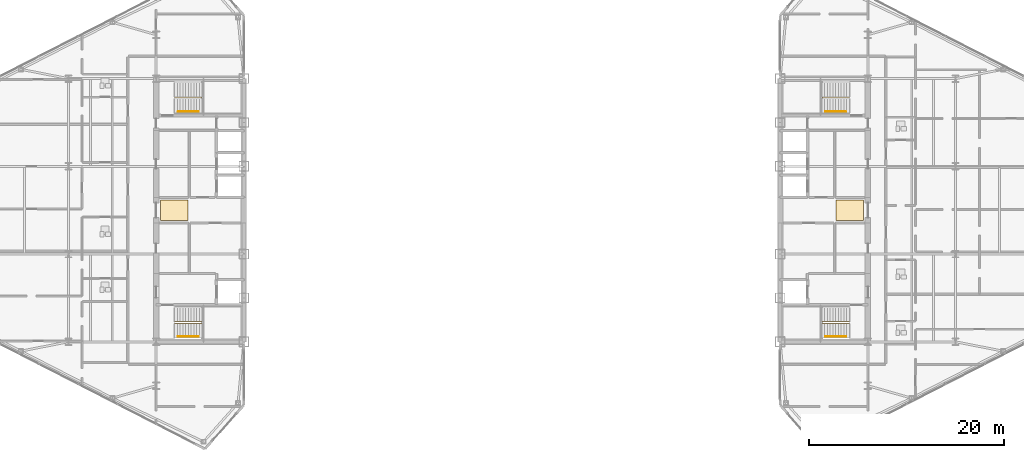
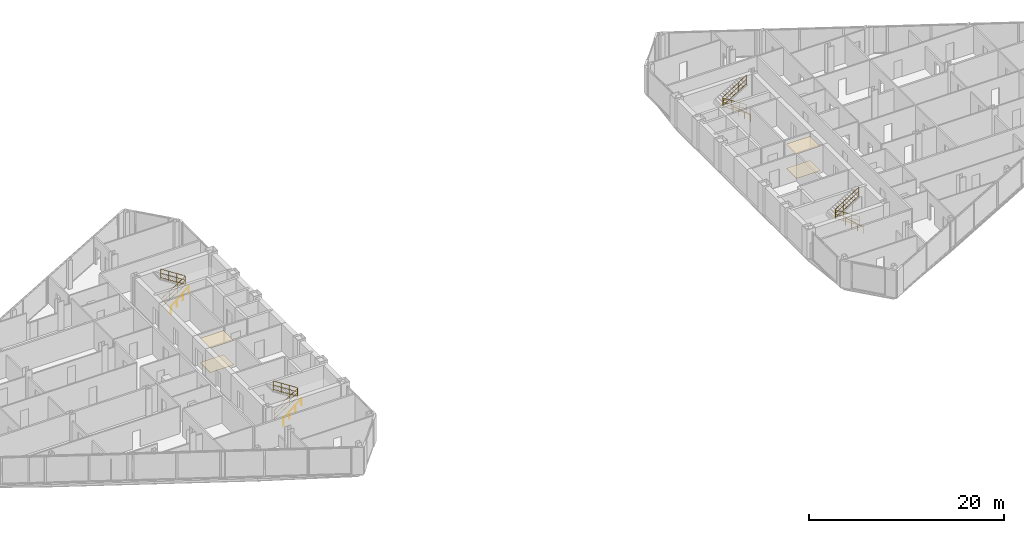
# One storey, part 22 of 23: 8 railings, 4 coverings.
"""IFC4 building model written with IfcOpenShell, lengths in metres."""

from ifc_helpers import new_model, si_unit, direction, frame, origin, origin_2d, place, context, subcontext, project, spatial, polyline, circle, outline, extrude, material, layer, layer_set, type_object, element, save


model = new_model("IFC4")

# Units and contexts
model_context = context("Model", 3, precision=1e-05, world=origin(), true_north=direction((0.0, 1.0)))
body_context = subcontext(model_context, "Body", "Model", "MODEL_VIEW")
ifc_project = project(units=[si_unit("LENGTHUNIT", "METRE"), si_unit("AREAUNIT", "SQUARE_METRE"), si_unit("VOLUMEUNIT", "CUBIC_METRE"), si_unit("PLANEANGLEUNIT", "RADIAN"), si_unit("MASSUNIT", "GRAM", prefix="KILO")], contexts=[model_context])

# Site, building, storey
site_placement = place(None, origin())
site = spatial("IfcSite", under=ifc_project, at=site_placement, CompositionType="ELEMENT")
building_placement = place(site_placement, origin())
building = spatial("IfcBuilding", under=site, at=building_placement, Name="Seokmaru Belvedere", CompositionType="ELEMENT")
storey_placement = place(building_placement, frame((0.0, 0.0, 154.800048828125)))
storey = spatial("IfcBuildingStorey", under=building, at=storey_placement, Name="L41", CompositionType="ELEMENT", Elevation=154.800048828125)

# Coverings
ifc_material_1 = material(Name="Engineered White Oak Timber", Category="wood")
ifc_layer_1 = layer(ifc_material_1, 0.02197265625)
ifc_layer_set_1 = layer_set([ifc_layer_1], Name="Engineered White Oak Timber")
covering_type_1 = type_object("IfcCoveringType", Name="Engineered Oak Residence Floor Finish 22", PredefinedType="FLOORING", material=ifc_layer_set_1)
covering_1_placement = place(storey_placement, origin())
element("IfcCovering", 1, at=covering_1_placement, inside=storey, type_object=covering_type_1, Name="L41 W Foyer Floor Finish", PredefinedType="FLOORING", context=body_context, shape_type="SweptSolid", body=[
    extrude(outline(polyline([(-36.050048828125, -1.050048828125), (-33.25, -1.050048828125), (-33.25, 1.050048828125), (-36.050048828125, 1.050048828125), (-36.050048828125, -1.050048828125)])), origin(), (0.0, 0.0, 1.0), 0.02197265625),
])
covering_2_placement = place(storey_placement, origin())
element("IfcCovering", 2, at=covering_2_placement, inside=storey, type_object=covering_type_1, Name="L41 E Foyer Floor Finish", PredefinedType="FLOORING", context=body_context, shape_type="SweptSolid", body=[
    extrude(outline(polyline([(33.25, -1.050048828125), (36.050048828125, -1.050048828125), (36.050048828125, 1.050048828125), (33.25, 1.050048828125), (33.25, -1.050048828125)])), origin(), (0.0, 0.0, 1.0), 0.02197265625),
])
ifc_material_2 = material(Name="Fire-Rated Gypsum Shaftwall")
ifc_layer_2 = layer(ifc_material_2, 0.02490234375)
ifc_layer_set_2 = layer_set([ifc_layer_2], Name="Fire-Rated Gypsum Shaftwall")
covering_type_2 = type_object("IfcCoveringType", Name="Perforated Acoustic Gypsum Suspended Ceiling 25", PredefinedType="CEILING", material=ifc_layer_set_2)
covering_3_placement = place(storey_placement, frame((0.0, 0.0, 3.030029296875)))
element("IfcCovering", 3, at=covering_3_placement, inside=storey, type_object=covering_type_2, Name="L41 W Lift Foyer Acoustic Ceiling", PredefinedType="CEILING", context=body_context, shape_type="SweptSolid", body=[
    extrude(outline(polyline([(-36.050048828125, -1.050048828125), (-33.25, -1.050048828125), (-33.25, 1.050048828125), (-36.050048828125, 1.050048828125), (-36.050048828125, -1.050048828125)])), origin(), (0.0, 0.0, 1.0), 0.02490234375),
])
covering_4_placement = place(storey_placement, frame((0.0, 0.0, 3.030029296875)))
element("IfcCovering", 4, at=covering_4_placement, inside=storey, type_object=covering_type_2, Name="L41 E Lift Foyer Acoustic Ceiling", PredefinedType="CEILING", context=body_context, shape_type="SweptSolid", body=[
    extrude(outline(polyline([(33.25, -1.050048828125), (36.050048828125, -1.050048828125), (36.050048828125, 1.050048828125), (33.25, 1.050048828125), (33.25, -1.050048828125)])), origin(), (0.0, 0.0, 1.0), 0.02490234375),
])

# Railings
ifc_material_3 = material(Name="Stainless Steel 316", Category="steel")
railing_type_1 = type_object("IfcRailingType", Name="Stainless Steel Wall and Flight Handrail 900", PredefinedType="HANDRAIL", material=ifc_material_3)
for number, where, name in (
    (5, (-34.25, -12.949951171875, 0.0), "L41 Stair ST-W1 Wall Handrail"),
    (6, (-34.25, 10.110107421875, 0.0), "L41 Stair ST-W2 Wall Handrail"),
):
    element("IfcRailing", number, at=place(storey_placement, frame(where)), inside=storey, type_object=railing_type_1, Name=name, PredefinedType="HANDRAIL", context=body_context, shape_type="SweptSolid", body=[
        extrude(circle(Radius=0.02392578125, at=origin_2d()), frame((0.0, 0.0, 0.8759765625), z_axis=(0.759262832861, 0.0, 0.650784104474), x_axis=(0.0, 1.0, 0.0)), (0.0, 0.0, 1.0), 2.765869140625),
        extrude(circle(Radius=0.02099609375, at=origin_2d()), origin(), (0.0, 0.0, 1.0), 0.851806640625),
        extrude(circle(Radius=0.02099609375, at=origin_2d()), frame((0.699951171875, 0.0, 0.60009765625)), (0.0, 0.0, 1.0), 0.851806640625),
        extrude(circle(Radius=0.02099609375, at=origin_2d()), frame((1.400146484375, 0.0, 1.199951171875)), (0.0, 0.0, 1.0), 0.851806640625),
        extrude(circle(Radius=0.02099609375, at=origin_2d()), frame((2.10009765625, 0.0, 1.800048828125)), (0.0, 0.0, 1.0), 0.851806640625),
    ])
for number, where, name in (
    (7, (34.25, -12.949951171875, 0.0), "L41 Stair ST-E1 Wall Handrail"),
    (8, (34.25, 10.110107421875, 0.0), "L41 Stair ST-E2 Wall Handrail"),
):
    element("IfcRailing", number, at=place(storey_placement, frame(where)), inside=storey, type_object=railing_type_1, Name=name, PredefinedType="HANDRAIL", context=body_context, shape_type="SweptSolid", body=[
        extrude(circle(Radius=0.02392578125, at=origin_2d()), frame((0.0, 0.0, 0.8759765625), z_axis=(-0.759262832861, 0.0, 0.650784104474), x_axis=(0.0, -1.0, 0.0)), (0.0, 0.0, 1.0), 2.765869140625),
        extrude(circle(Radius=0.02099609375, at=origin_2d()), origin(), (0.0, 0.0, 1.0), 0.851806640625),
        extrude(circle(Radius=0.02099609375, at=origin_2d()), frame((-0.699951171875, 0.0, 0.60009765625)), (0.0, 0.0, 1.0), 0.851806640625),
        extrude(circle(Radius=0.02099609375, at=origin_2d()), frame((-1.400146484375, 0.0, 1.199951171875)), (0.0, 0.0, 1.0), 0.851806640625),
        extrude(circle(Radius=0.02099609375, at=origin_2d()), frame((-2.10009765625, 0.0, 1.800048828125)), (0.0, 0.0, 1.0), 0.851806640625),
    ])
railing_type_2 = type_object("IfcRailingType", Name="Stair Well and Atrium Steel Guardrail 1200", PredefinedType="GUARDRAIL", material=ifc_material_3)
railing_1_placement = place(storey_placement, frame((-34.60009765625, -11.60009765625, 0.0)))
element("IfcRailing", 9, at=railing_1_placement, inside=storey, type_object=railing_type_2, Name="L41 Stair ST-W1 Inner Well Guardrail", PredefinedType="GUARDRAIL", context=body_context, shape_type="SweptSolid", body=[
    extrude(circle(Radius=0.02392578125, at=origin_2d()), frame((0.0, 0.0, 1.17578125), z_axis=(0.841176092368, 0.0, 0.540761298198), x_axis=(0.0, 1.0, 0.0)), (0.0, 0.0, 1.0), 3.32861328125),
    extrude(circle(Radius=0.02392578125, at=origin_2d()), frame((0.0, 0.0, 0.1201171875), z_axis=(0.841176092368, 0.0, 0.540761298198), x_axis=(0.0, 1.0, 0.0)), (0.0, 0.0, 1.0), 3.32861328125),
    extrude(circle(Radius=0.02392578125, at=origin_2d()), frame((0.0, 0.0, 0.659912109375), z_axis=(0.841176092368, 0.0, 0.540761298198), x_axis=(0.0, 1.0, 0.0)), (0.0, 0.0, 1.0), 3.32861328125),
    extrude(circle(Radius=0.02392578125, at=origin_2d()), frame((2.800048828125, 0.0, 2.97607421875), z_axis=(0.0, 1.0, 0.0), x_axis=(-1.0, 0.0, 0.0)), (0.0, 0.0, 1.0), 0.14013671875),
    extrude(circle(Radius=0.02392578125, at=origin_2d()), frame((2.800048828125, 0.0, 1.920166015625), z_axis=(0.0, 1.0, 0.0), x_axis=(-1.0, 0.0, 0.0)), (0.0, 0.0, 1.0), 0.14013671875),
    extrude(circle(Radius=0.02392578125, at=origin_2d()), frame((2.800048828125, 0.0, 2.4599609375), z_axis=(0.0, 1.0, 0.0), x_axis=(-1.0, 0.0, 0.0)), (0.0, 0.0, 1.0), 0.14013671875),
    extrude(circle(Radius=0.02392578125, at=origin_2d()), frame((2.800048828125, 0.14013671875, 2.97607421875), z_axis=(-0.841209454229, 0.0, 0.540709398952), x_axis=(0.0, -1.0, 0.0)), (0.0, 0.0, 1.0), 3.32861328125),
    extrude(circle(Radius=0.02392578125, at=origin_2d()), frame((2.800048828125, 0.14013671875, 1.920166015625), z_axis=(-0.841209454229, 0.0, 0.540709398952), x_axis=(0.0, -1.0, 0.0)), (0.0, 0.0, 1.0), 3.32861328125),
    extrude(circle(Radius=0.02392578125, at=origin_2d()), frame((2.800048828125, 0.14013671875, 2.4599609375), z_axis=(-0.841209454229, 0.0, 0.540709398952), x_axis=(0.0, -1.0, 0.0)), (0.0, 0.0, 1.0), 3.32861328125),
    extrude(circle(Radius=0.02099609375, at=origin_2d()), origin(), (0.0, 0.0, 1.0), 1.15185546875),
    extrude(circle(Radius=0.02099609375, at=origin_2d()), frame((0.933349609375, 0.0, 0.60009765625)), (0.0, 0.0, 1.0), 1.15185546875),
    extrude(circle(Radius=0.02099609375, at=origin_2d()), frame((1.86669921875, 0.0, 1.199951171875)), (0.0, 0.0, 1.0), 1.15185546875),
    extrude(circle(Radius=0.02099609375, at=origin_2d()), frame((2.800048828125, 0.0, 1.800048828125)), (0.0, 0.0, 1.0), 1.15185546875),
    extrude(circle(Radius=0.02099609375, at=origin_2d()), frame((2.800048828125, 0.14013671875, 1.800048828125)), (0.0, 0.0, 1.0), 1.15185546875),
    extrude(circle(Radius=0.02099609375, at=origin_2d()), frame((1.86669921875, 0.14013671875, 2.39990234375)), (0.0, 0.0, 1.0), 1.15185546875),
    extrude(circle(Radius=0.02099609375, at=origin_2d()), frame((0.933349609375, 0.14013671875, 3.0)), (0.0, 0.0, 1.0), 1.15185546875),
    extrude(circle(Radius=0.02099609375, at=origin_2d()), frame((0.0, 0.14013671875, 3.599853515625)), (0.0, 0.0, 1.0), 1.15185546875),
])
railing_2_placement = place(storey_placement, frame((-34.60009765625, 11.4599609375, 0.0)))
element("IfcRailing", 10, at=railing_2_placement, inside=storey, type_object=railing_type_2, Name="L41 Stair ST-W2 Inner Well Guardrail", PredefinedType="GUARDRAIL", context=body_context, shape_type="SweptSolid", body=[
    extrude(circle(Radius=0.02392578125, at=origin_2d()), frame((0.0, 0.0, 1.17578125), z_axis=(0.841176092368, 0.0, 0.540761298198), x_axis=(0.0, 1.0, 0.0)), (0.0, 0.0, 1.0), 3.32861328125),
    extrude(circle(Radius=0.02392578125, at=origin_2d()), frame((0.0, 0.0, 0.1201171875), z_axis=(0.841176092368, 0.0, 0.540761298198), x_axis=(0.0, 1.0, 0.0)), (0.0, 0.0, 1.0), 3.32861328125),
    extrude(circle(Radius=0.02392578125, at=origin_2d()), frame((0.0, 0.0, 0.659912109375), z_axis=(0.841176092368, 0.0, 0.540761298198), x_axis=(0.0, 1.0, 0.0)), (0.0, 0.0, 1.0), 3.32861328125),
    extrude(circle(Radius=0.02392578125, at=origin_2d()), frame((2.800048828125, 0.0, 2.97607421875), z_axis=(0.0, 1.0, 0.0), x_axis=(-1.0, 0.0, 0.0)), (0.0, 0.0, 1.0), 0.14013671875),
    extrude(circle(Radius=0.02392578125, at=origin_2d()), frame((2.800048828125, 0.0, 1.920166015625), z_axis=(0.0, 1.0, 0.0), x_axis=(-1.0, 0.0, 0.0)), (0.0, 0.0, 1.0), 0.14013671875),
    extrude(circle(Radius=0.02392578125, at=origin_2d()), frame((2.800048828125, 0.0, 2.4599609375), z_axis=(0.0, 1.0, 0.0), x_axis=(-1.0, 0.0, 0.0)), (0.0, 0.0, 1.0), 0.14013671875),
    extrude(circle(Radius=0.02392578125, at=origin_2d()), frame((2.800048828125, 0.14013671875, 2.97607421875), z_axis=(-0.841209454229, 0.0, 0.540709398952), x_axis=(0.0, -1.0, 0.0)), (0.0, 0.0, 1.0), 3.32861328125),
    extrude(circle(Radius=0.02392578125, at=origin_2d()), frame((2.800048828125, 0.14013671875, 1.920166015625), z_axis=(-0.841209454229, 0.0, 0.540709398952), x_axis=(0.0, -1.0, 0.0)), (0.0, 0.0, 1.0), 3.32861328125),
    extrude(circle(Radius=0.02392578125, at=origin_2d()), frame((2.800048828125, 0.14013671875, 2.4599609375), z_axis=(-0.841209454229, 0.0, 0.540709398952), x_axis=(0.0, -1.0, 0.0)), (0.0, 0.0, 1.0), 3.32861328125),
    extrude(circle(Radius=0.02099609375, at=origin_2d()), origin(), (0.0, 0.0, 1.0), 1.15185546875),
    extrude(circle(Radius=0.02099609375, at=origin_2d()), frame((0.933349609375, 0.0, 0.60009765625)), (0.0, 0.0, 1.0), 1.15185546875),
    extrude(circle(Radius=0.02099609375, at=origin_2d()), frame((1.86669921875, 0.0, 1.199951171875)), (0.0, 0.0, 1.0), 1.15185546875),
    extrude(circle(Radius=0.02099609375, at=origin_2d()), frame((2.800048828125, 0.0, 1.800048828125)), (0.0, 0.0, 1.0), 1.15185546875),
    extrude(circle(Radius=0.02099609375, at=origin_2d()), frame((2.800048828125, 0.14013671875, 1.800048828125)), (0.0, 0.0, 1.0), 1.15185546875),
    extrude(circle(Radius=0.02099609375, at=origin_2d()), frame((1.86669921875, 0.14013671875, 2.39990234375)), (0.0, 0.0, 1.0), 1.15185546875),
    extrude(circle(Radius=0.02099609375, at=origin_2d()), frame((0.933349609375, 0.14013671875, 3.0)), (0.0, 0.0, 1.0), 1.15185546875),
    extrude(circle(Radius=0.02099609375, at=origin_2d()), frame((0.0, 0.14013671875, 3.599853515625)), (0.0, 0.0, 1.0), 1.15185546875),
])
railing_3_placement = place(storey_placement, frame((34.60009765625, -11.60009765625, 0.0)))
element("IfcRailing", 11, at=railing_3_placement, inside=storey, type_object=railing_type_2, Name="L41 Stair ST-E1 Inner Well Guardrail", PredefinedType="GUARDRAIL", context=body_context, shape_type="SweptSolid", body=[
    extrude(circle(Radius=0.02392578125, at=origin_2d()), frame((0.0, 0.0, 1.17578125), z_axis=(-0.841176092368, 0.0, 0.540761298198), x_axis=(0.0, -1.0, 0.0)), (0.0, 0.0, 1.0), 3.32861328125),
    extrude(circle(Radius=0.02392578125, at=origin_2d()), frame((0.0, 0.0, 0.1201171875), z_axis=(-0.841176092368, 0.0, 0.540761298198), x_axis=(0.0, -1.0, 0.0)), (0.0, 0.0, 1.0), 3.32861328125),
    extrude(circle(Radius=0.02392578125, at=origin_2d()), frame((0.0, 0.0, 0.659912109375), z_axis=(-0.841176092368, 0.0, 0.540761298198), x_axis=(0.0, -1.0, 0.0)), (0.0, 0.0, 1.0), 3.32861328125),
    extrude(circle(Radius=0.02392578125, at=origin_2d()), frame((-2.800048828125, 0.0, 2.97607421875), z_axis=(0.0, 1.0, 0.0), x_axis=(-1.0, 0.0, 0.0)), (0.0, 0.0, 1.0), 0.14013671875),
    extrude(circle(Radius=0.02392578125, at=origin_2d()), frame((-2.800048828125, 0.0, 1.920166015625), z_axis=(0.0, 1.0, 0.0), x_axis=(-1.0, 0.0, 0.0)), (0.0, 0.0, 1.0), 0.14013671875),
    extrude(circle(Radius=0.02392578125, at=origin_2d()), frame((-2.800048828125, 0.0, 2.4599609375), z_axis=(0.0, 1.0, 0.0), x_axis=(-1.0, 0.0, 0.0)), (0.0, 0.0, 1.0), 0.14013671875),
    extrude(circle(Radius=0.02392578125, at=origin_2d()), frame((-2.800048828125, 0.14013671875, 2.97607421875), z_axis=(0.841209454229, 0.0, 0.540709398952), x_axis=(0.0, 1.0, 0.0)), (0.0, 0.0, 1.0), 3.32861328125),
    extrude(circle(Radius=0.02392578125, at=origin_2d()), frame((-2.800048828125, 0.14013671875, 1.920166015625), z_axis=(0.841209454229, 0.0, 0.540709398952), x_axis=(0.0, 1.0, 0.0)), (0.0, 0.0, 1.0), 3.32861328125),
    extrude(circle(Radius=0.02392578125, at=origin_2d()), frame((-2.800048828125, 0.14013671875, 2.4599609375), z_axis=(0.841209454229, 0.0, 0.540709398952), x_axis=(0.0, 1.0, 0.0)), (0.0, 0.0, 1.0), 3.32861328125),
    extrude(circle(Radius=0.02099609375, at=origin_2d()), origin(), (0.0, 0.0, 1.0), 1.15185546875),
    extrude(circle(Radius=0.02099609375, at=origin_2d()), frame((-0.933349609375, 0.0, 0.60009765625)), (0.0, 0.0, 1.0), 1.15185546875),
    extrude(circle(Radius=0.02099609375, at=origin_2d()), frame((-1.86669921875, 0.0, 1.199951171875)), (0.0, 0.0, 1.0), 1.15185546875),
    extrude(circle(Radius=0.02099609375, at=origin_2d()), frame((-2.800048828125, 0.0, 1.800048828125)), (0.0, 0.0, 1.0), 1.15185546875),
    extrude(circle(Radius=0.02099609375, at=origin_2d()), frame((-2.800048828125, 0.14013671875, 1.800048828125)), (0.0, 0.0, 1.0), 1.15185546875),
    extrude(circle(Radius=0.02099609375, at=origin_2d()), frame((-1.86669921875, 0.14013671875, 2.39990234375)), (0.0, 0.0, 1.0), 1.15185546875),
    extrude(circle(Radius=0.02099609375, at=origin_2d()), frame((-0.933349609375, 0.14013671875, 3.0)), (0.0, 0.0, 1.0), 1.15185546875),
    extrude(circle(Radius=0.02099609375, at=origin_2d()), frame((0.0, 0.14013671875, 3.599853515625)), (0.0, 0.0, 1.0), 1.15185546875),
])
railing_4_placement = place(storey_placement, frame((34.60009765625, 11.4599609375, 0.0)))
element("IfcRailing", 12, at=railing_4_placement, inside=storey, type_object=railing_type_2, Name="L41 Stair ST-E2 Inner Well Guardrail", PredefinedType="GUARDRAIL", context=body_context, shape_type="SweptSolid", body=[
    extrude(circle(Radius=0.02392578125, at=origin_2d()), frame((0.0, 0.0, 1.17578125), z_axis=(-0.841176092368, 0.0, 0.540761298198), x_axis=(0.0, -1.0, 0.0)), (0.0, 0.0, 1.0), 3.32861328125),
    extrude(circle(Radius=0.02392578125, at=origin_2d()), frame((0.0, 0.0, 0.1201171875), z_axis=(-0.841176092368, 0.0, 0.540761298198), x_axis=(0.0, -1.0, 0.0)), (0.0, 0.0, 1.0), 3.32861328125),
    extrude(circle(Radius=0.02392578125, at=origin_2d()), frame((0.0, 0.0, 0.659912109375), z_axis=(-0.841176092368, 0.0, 0.540761298198), x_axis=(0.0, -1.0, 0.0)), (0.0, 0.0, 1.0), 3.32861328125),
    extrude(circle(Radius=0.02392578125, at=origin_2d()), frame((-2.800048828125, 0.0, 2.97607421875), z_axis=(0.0, 1.0, 0.0), x_axis=(-1.0, 0.0, 0.0)), (0.0, 0.0, 1.0), 0.14013671875),
    extrude(circle(Radius=0.02392578125, at=origin_2d()), frame((-2.800048828125, 0.0, 1.920166015625), z_axis=(0.0, 1.0, 0.0), x_axis=(-1.0, 0.0, 0.0)), (0.0, 0.0, 1.0), 0.14013671875),
    extrude(circle(Radius=0.02392578125, at=origin_2d()), frame((-2.800048828125, 0.0, 2.4599609375), z_axis=(0.0, 1.0, 0.0), x_axis=(-1.0, 0.0, 0.0)), (0.0, 0.0, 1.0), 0.14013671875),
    extrude(circle(Radius=0.02392578125, at=origin_2d()), frame((-2.800048828125, 0.14013671875, 2.97607421875), z_axis=(0.841209454229, 0.0, 0.540709398952), x_axis=(0.0, 1.0, 0.0)), (0.0, 0.0, 1.0), 3.32861328125),
    extrude(circle(Radius=0.02392578125, at=origin_2d()), frame((-2.800048828125, 0.14013671875, 1.920166015625), z_axis=(0.841209454229, 0.0, 0.540709398952), x_axis=(0.0, 1.0, 0.0)), (0.0, 0.0, 1.0), 3.32861328125),
    extrude(circle(Radius=0.02392578125, at=origin_2d()), frame((-2.800048828125, 0.14013671875, 2.4599609375), z_axis=(0.841209454229, 0.0, 0.540709398952), x_axis=(0.0, 1.0, 0.0)), (0.0, 0.0, 1.0), 3.32861328125),
    extrude(circle(Radius=0.02099609375, at=origin_2d()), origin(), (0.0, 0.0, 1.0), 1.15185546875),
    extrude(circle(Radius=0.02099609375, at=origin_2d()), frame((-0.933349609375, 0.0, 0.60009765625)), (0.0, 0.0, 1.0), 1.15185546875),
    extrude(circle(Radius=0.02099609375, at=origin_2d()), frame((-1.86669921875, 0.0, 1.199951171875)), (0.0, 0.0, 1.0), 1.15185546875),
    extrude(circle(Radius=0.02099609375, at=origin_2d()), frame((-2.800048828125, 0.0, 1.800048828125)), (0.0, 0.0, 1.0), 1.15185546875),
    extrude(circle(Radius=0.02099609375, at=origin_2d()), frame((-2.800048828125, 0.14013671875, 1.800048828125)), (0.0, 0.0, 1.0), 1.15185546875),
    extrude(circle(Radius=0.02099609375, at=origin_2d()), frame((-1.86669921875, 0.14013671875, 2.39990234375)), (0.0, 0.0, 1.0), 1.15185546875),
    extrude(circle(Radius=0.02099609375, at=origin_2d()), frame((-0.933349609375, 0.14013671875, 3.0)), (0.0, 0.0, 1.0), 1.15185546875),
    extrude(circle(Radius=0.02099609375, at=origin_2d()), frame((0.0, 0.14013671875, 3.599853515625)), (0.0, 0.0, 1.0), 1.15185546875),
])

save(model, "model.ifc")
